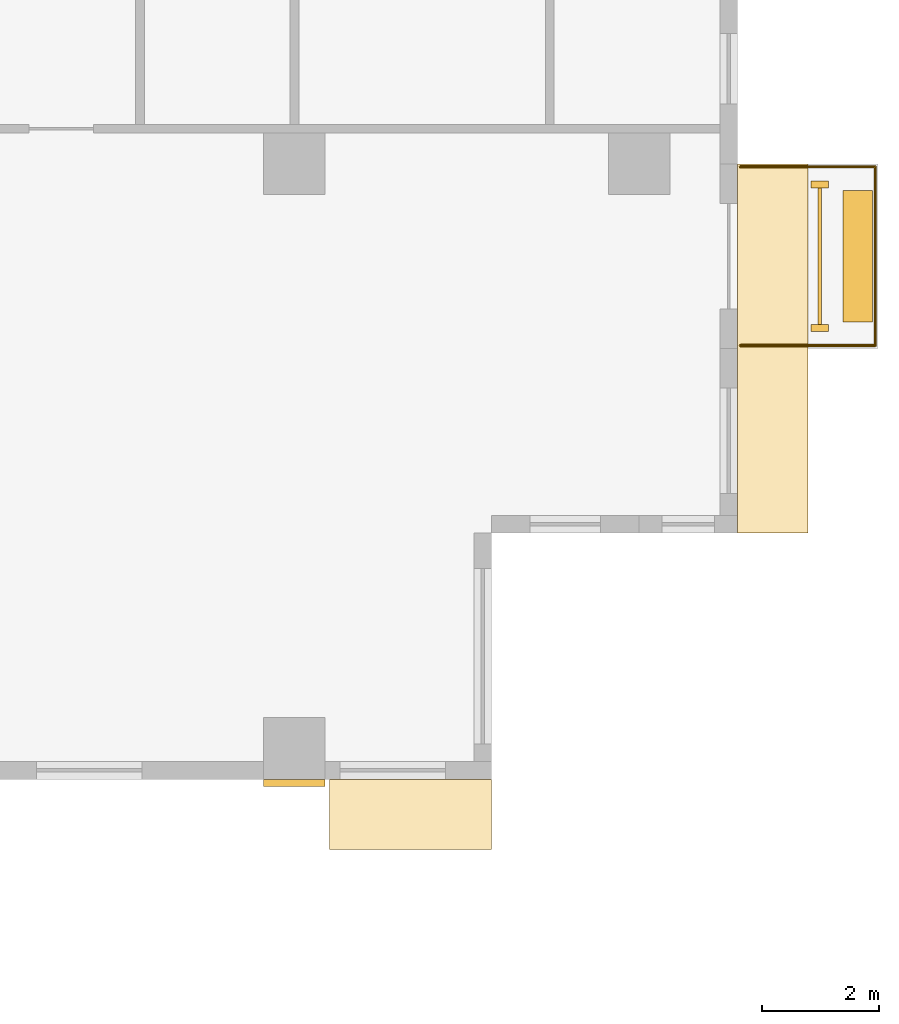
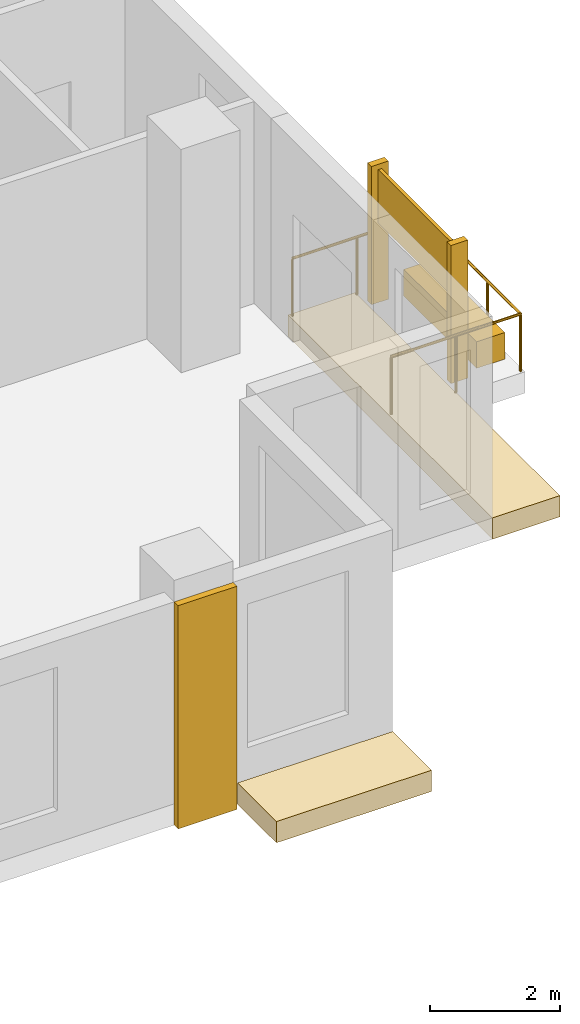
# One storey, part 14 of 14: 7 coverings, 1 railing.
"""IFC4 building model written with IfcOpenShell, lengths in metres."""

from ifc_helpers import new_model, si_unit, direction, frame, origin, origin_2d, place, context, subcontext, project, spatial, polyline, rectangle, circle, outline, extrude, source, transform, mapped, material, type_object, element, save


model = new_model("IFC4")

# Units and contexts
model_context = context("Model", 3, precision=1e-05, world=origin(), true_north=direction((0.0, 1.0)))
body_context = subcontext(model_context, "Body", "Model", "MODEL_VIEW")
ifc_project = project(units=[si_unit("LENGTHUNIT", "METRE"), si_unit("AREAUNIT", "SQUARE_METRE"), si_unit("VOLUMEUNIT", "CUBIC_METRE"), si_unit("PLANEANGLEUNIT", "RADIAN"), si_unit("MASSUNIT", "GRAM", prefix="KILO")], contexts=[model_context])

# Site, building, storey
site_placement = place(None, origin())
site = spatial("IfcSite", under=ifc_project, at=site_placement, CompositionType="ELEMENT")
building_placement = place(site_placement, origin())
building = spatial("IfcBuilding", under=site, at=building_placement, Name="Aurelian Terraces", CompositionType="ELEMENT")
storey_placement = place(building_placement, frame((0.0, 0.0, 103.5)))
storey = spatial("IfcBuildingStorey", under=building, at=storey_placement, Name="L22", CompositionType="ELEMENT", Elevation=103.5)

# Coverings
ifc_material_1 = material(Name="Terracotta rainscreen cladding relief", Category="masonry")
covering_type_1 = type_object("IfcCoveringType", Name="FIN-TC", PredefinedType="CLADDING", material=ifc_material_1)
shared_shape_1 = source(origin(), body_context, "Body", "SweptSolid", [
    extrude(rectangle(XDim=0.3, YDim=0.12, at=origin_2d()), origin(), (0.0, 0.0, 1.0), 2.6),
])
for number, where, z_axis, x_axis, name in (
    (1, (72.8, 7.7, 0.0), (0.0, 0.0, 1.0), (1.0, 0.0, 0.0), "FIN L22 L22-F08-18.1"),
    (2, (72.8, 10.15, 0.0), (0.0, 0.0, 1.0), (1.0, 0.0, 0.0), "FIN L22 L22-F08-18.2"),
):
    element("IfcCovering", number, at=place(storey_placement, frame(where, z_axis=z_axis, x_axis=x_axis)), inside=storey, type_object=covering_type_1, Name=name, PredefinedType="CLADDING", context=body_context, shape_type="MappedRepresentation", body=[
        mapped(shared_shape_1, transform((0.0, 0.0, 0.0), scale=1.0)),
    ])

# Railing
ifc_material_2 = material(Name="Anodised aluminium", Category="aluminium")
railing_type = type_object("IfcRailingType", Name="GUARD-1100", PredefinedType="GUARDRAIL", material=ifc_material_2)
shared_shape_2 = source(origin(), body_context, "Body", "SweptSolid", [
    extrude(circle(Radius=0.024, at=origin_2d()), frame((0.0, 0.0, 1.076), z_axis=(1.0, 0.0, 0.0), x_axis=(0.0, 1.0, 0.0)), (0.0, 0.0, 1.0), 2.3),
    extrude(circle(Radius=0.024, at=origin_2d()), frame((2.3, 0.0, 1.076), z_axis=(0.0, 1.0, 0.0), x_axis=(-1.0, 0.0, 0.0)), (0.0, 0.0, 1.0), 3.05),
    extrude(circle(Radius=0.024, at=origin_2d()), frame((2.3, 3.05, 1.076), z_axis=(-1.0, 0.0, 0.0), x_axis=(0.0, -1.0, 0.0)), (0.0, 0.0, 1.0), 2.3),
    extrude(circle(Radius=0.021, at=origin_2d()), origin(), (0.0, 0.0, 1.0), 1.052),
    extrude(circle(Radius=0.021, at=origin_2d()), frame((1.15, 0.0, 0.0)), (0.0, 0.0, 1.0), 1.052),
    extrude(circle(Radius=0.021, at=origin_2d()), frame((2.3, 0.0, 0.0)), (0.0, 0.0, 1.0), 1.052),
    extrude(circle(Radius=0.021, at=origin_2d()), frame((2.3, 1.0167, 0.0)), (0.0, 0.0, 1.0), 1.052),
    extrude(circle(Radius=0.021, at=origin_2d()), frame((2.3, 2.0333, 0.0)), (0.0, 0.0, 1.0), 1.052),
    extrude(circle(Radius=0.021, at=origin_2d()), frame((2.3, 3.05, 0.0)), (0.0, 0.0, 1.0), 1.052),
    extrude(circle(Radius=0.021, at=origin_2d()), frame((1.15, 3.05, 0.0)), (0.0, 0.0, 1.0), 1.052),
    extrude(circle(Radius=0.021, at=origin_2d()), frame((0.0, 3.05, 0.0)), (0.0, 0.0, 1.0), 1.052),
])
railing_placement = place(storey_placement, frame((71.45, 7.4, 0.0)))
element("IfcRailing", 3, at=railing_placement, inside=storey, type_object=railing_type, Name="Balcony guard L22 F08.18", PredefinedType="GUARDRAIL", context=body_context, shape_type="MappedRepresentation", body=[
    mapped(shared_shape_2, transform((0.0, 0.0, 0.0), scale=1.0)),
])

# Coverings
ifc_material_3 = material(Name="Terracotta planter with planting soil", Category="masonry")
covering_type_2 = type_object("IfcCoveringType", Name="PLANTER-TROUGH", PredefinedType="USERDEFINED", material=ifc_material_3)
shared_shape_3 = source(origin(), body_context, "Body", "SweptSolid", [
    extrude(rectangle(XDim=0.5, YDim=2.25, at=origin_2d()), origin(), (0.0, 0.0, 1.0), 0.5),
])
covering_1_placement = place(storey_placement, frame((73.45, 8.925, 0.0), z_axis=(0.0, 0.0, 1.0), x_axis=(1.0, 0.0, 0.0)))
element("IfcCovering", 4, at=covering_1_placement, inside=storey, type_object=covering_type_2, Name="PLANTER L22 L22-F08-18", ObjectType="PLANTER", PredefinedType="USERDEFINED", context=body_context, shape_type="MappedRepresentation", body=[
    mapped(shared_shape_3, transform((0.0, 0.0, 0.0), scale=1.0)),
])
ifc_material_4 = material(Name="Terracotta rainscreen cladding", Category="masonry")
covering_type_3 = type_object("IfcCoveringType", Name="SCREEN-TC", PredefinedType="CLADDING", material=ifc_material_4)
shared_shape_4 = source(origin(), body_context, "Body", "SweptSolid", [
    extrude(rectangle(XDim=0.06, YDim=2.33, at=origin_2d()), origin(), (0.0, 0.0, 1.0), 1.0),
])
covering_2_placement = place(storey_placement, frame((72.8, 8.925, 1.5), z_axis=(0.0, 0.0, 1.0), x_axis=(1.0, 0.0, 0.0)))
element("IfcCovering", 5, at=covering_2_placement, inside=storey, type_object=covering_type_3, Name="SCREEN L22 L22-F08-18", PredefinedType="CLADDING", context=body_context, shape_type="MappedRepresentation", body=[
    mapped(shared_shape_4, transform((0.0, 0.0, 0.0), scale=1.0)),
])
ifc_material_5 = material(Name="Terracotta roof tiles on membrane", Category="masonry")
covering_type_4 = type_object("IfcCoveringType", Name="Bay roof cover", PredefinedType="ROOFING", material=ifc_material_5)
shared_shape_5 = source(origin(), body_context, "Body", "SweptSolid", [
    extrude(outline(polyline([(64.44, 0.0), (67.2, 0.0), (67.2, -1.2), (64.44, -1.2), (64.44, 0.0)])), origin(), (0.0, 0.0, 1.0), 0.4),
])
covering_3_placement = place(storey_placement, frame((0.0, 0.0, -0.4)))
element("IfcCovering", 6, at=covering_3_placement, inside=storey, type_object=covering_type_4, Name="Bay roof L22 64.44_-1.20_67.20_0.00", PredefinedType="ROOFING", context=body_context, shape_type="MappedRepresentation", body=[
    mapped(shared_shape_5, transform((0.0, 0.0, 0.0), scale=1.0)),
])
shared_shape_6 = source(origin(), body_context, "Body", "SweptSolid", [
    extrude(outline(polyline([(71.4, 4.2), (71.4, 10.5), (72.6, 10.5), (72.6, 4.2), (71.4, 4.2)])), origin(), (0.0, 0.0, 1.0), 0.4),
])
covering_4_placement = place(storey_placement, frame((0.0, 0.0, -0.4)))
element("IfcCovering", 7, at=covering_4_placement, inside=storey, type_object=covering_type_4, Name="Bay roof L22 71.40_4.20_72.60_10.50", PredefinedType="ROOFING", context=body_context, shape_type="MappedRepresentation", body=[
    mapped(shared_shape_6, transform((0.0, 0.0, 0.0), scale=1.0)),
])
covering_type_5 = type_object("IfcCoveringType", Name="BAGUETTE-TC", PredefinedType="CLADDING", material=ifc_material_1)
shared_shape_7 = source(origin(), body_context, "Body", "SweptSolid", [
    extrude(rectangle(XDim=1.05, YDim=0.12, at=origin_2d()), origin(), (0.0, 0.0, 1.0), 4.2),
])
covering_5_placement = place(storey_placement, frame((63.84, -0.06, -0.4), z_axis=(0.0, 0.0, 1.0), x_axis=(1.0, 0.0, 0.0)))
element("IfcCovering", 8, at=covering_5_placement, inside=storey, type_object=covering_type_5, Name="BAGUETTE pier L22 4", PredefinedType="CLADDING", context=body_context, shape_type="MappedRepresentation", body=[
    mapped(shared_shape_7, transform((0.0, 0.0, 0.0), scale=1.0)),
])

save(model, "model.ifc")
